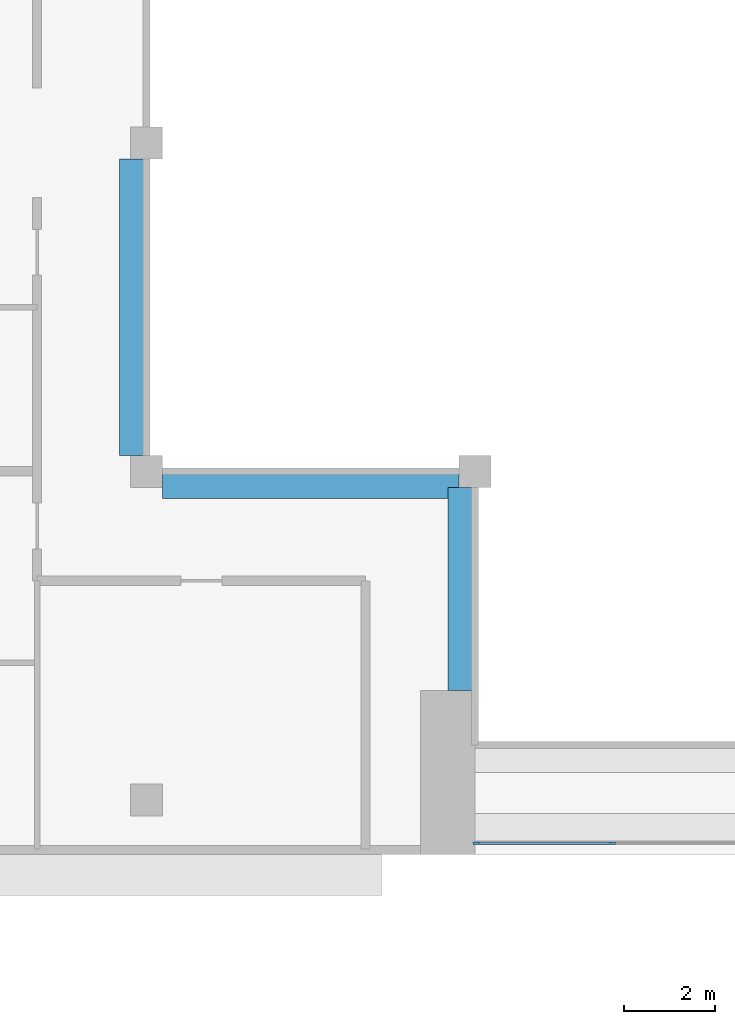
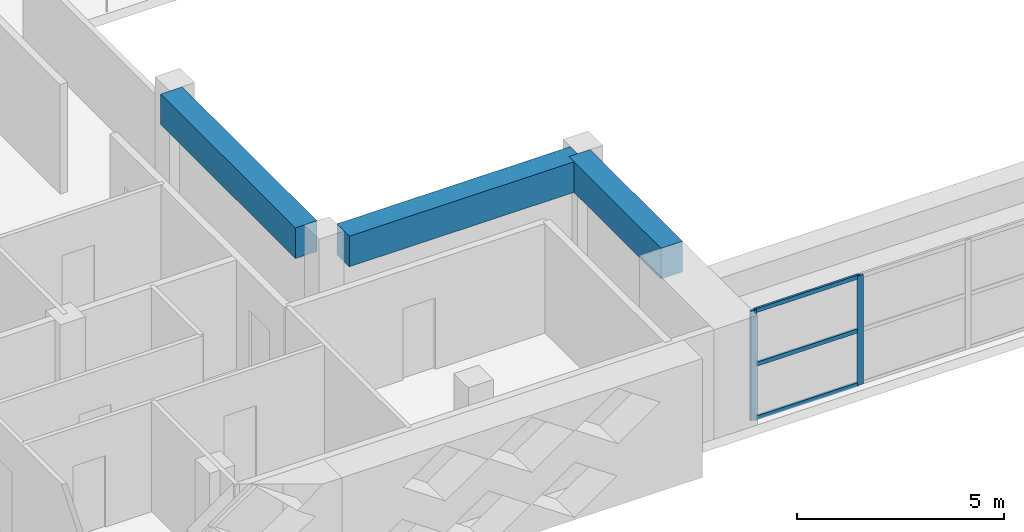
# One storey, part 2 of 19: 5 members, 3 beams, 1 element without a shape of its own.
"""IFC4 building model written with IfcOpenShell, lengths in metres."""

from ifc_helpers import new_model, si_unit, direction, frame, origin, origin_2d, place, context, subcontext, project, spatial, rectangle, extrude, source, transform, mapped, material, layer, layer_set, material_profile, profile_set, type_object, element, aggregate, save


model = new_model("IFC4")

# Units and contexts
model_context = context("Model", 3, precision=1e-05, world=origin(), true_north=direction((0.0, 1.0)))
body_context = subcontext(model_context, "Body", "Model", "MODEL_VIEW")
ifc_project = project(units=[si_unit("LENGTHUNIT", "METRE"), si_unit("AREAUNIT", "SQUARE_METRE"), si_unit("VOLUMEUNIT", "CUBIC_METRE"), si_unit("PLANEANGLEUNIT", "RADIAN"), si_unit("MASSUNIT", "GRAM", prefix="KILO")], contexts=[model_context])

# Site, building, storey
site_placement = place(None, origin())
site = spatial("IfcSite", under=ifc_project, at=site_placement, CompositionType="ELEMENT")
building_placement = place(site_placement, origin())
building = spatial("IfcBuilding", under=site, at=building_placement, Name="Saffron Iwan Residences", CompositionType="ELEMENT")
storey_placement = place(building_placement, frame((0.0, 0.0, 253.5)))
storey = spatial("IfcBuildingStorey", under=building, at=storey_placement, Name="L68", CompositionType="ELEMENT", Elevation=253.5)

# Beams
ifc_material_1 = material(Name="Concrete C40/50", Category="concrete")
ifc_material_profile_1 = material_profile(ifc_material_1, rectangle(XDim=0.60009765625, YDim=0.89990234375, at=origin_2d()), Name="RC 600x900")
ifc_profile_set_1 = profile_set([ifc_material_profile_1], Name="Concrete C40/50")
beam_type = type_object("IfcBeamType", Name="BEAM RC 600x900 C40/50 TOP 3220", PredefinedType="BEAM", material=ifc_profile_set_1)
shared_shape_1 = source(origin(), body_context, "Body", "SweptSolid", [
    extrude(rectangle(XDim=0.60009765625, YDim=0.89990234375, at=origin_2d()), origin(), (0.0, 0.0, 1.0), 4.449951171875),
])
beam_placement = place(storey_placement, frame((42.89990234375, 43.199951171875, 2.77001953125), z_axis=(0.0, 1.0, 0.0), x_axis=(-1.0, 0.0, 0.0)))
element("IfcBeam", 1, at=beam_placement, inside=storey, type_object=beam_type, Name="Atrium edge beam", PredefinedType="BEAM", context=body_context, shape_type="MappedRepresentation", body=[
    mapped(shared_shape_1, transform((0.0, 0.0, 0.0))),
])
shared_shape_2 = source(origin(), body_context, "Body", "SweptSolid", [
    extrude(rectangle(XDim=0.60009765625, YDim=0.89990234375, at=origin_2d()), origin(), (0.0, 0.0, 1.0), 6.5),
])
for number, where, z_axis, x_axis, name in (
    (2, (42.85009765625, 47.699951171875, 2.77001953125), (-1.0, 0.0, 0.0), (0.0, -1.0, 0.0), "Atrium edge beam"),
    (3, (35.699951171875, 48.35009765625, 2.77001953125), (0.0, 1.0, 0.0), (-1.0, 0.0, 0.0), "Atrium edge beam"),
):
    element("IfcBeam", number, at=place(storey_placement, frame(where, z_axis=z_axis, x_axis=x_axis)), inside=storey, type_object=beam_type, Name=name, PredefinedType="BEAM", context=body_context, shape_type="MappedRepresentation", body=[
        mapped(shared_shape_2, transform((0.0, 0.0, 0.0))),
    ])

# Curtain wall, members
ifc_material_2 = material(Name="Clear glass, laminated double glazed", Category="glass")
ifc_layer = layer(ifc_material_2, 0.199951171875)
ifc_layer_set = layer_set([ifc_layer], Name="Clear glass, laminated double glazed")
curtain_wall_type = type_object("IfcCurtainWallType", Name="CW-B IWAN PORTAL", PredefinedType="NOTDEFINED", material=ifc_layer_set)
curtain_wall_placement = place(storey_placement, origin())
curtain_wall = element("IfcCurtainWall", 4, at=curtain_wall_placement, inside=storey, type_object=curtain_wall_type, Name="Iwan portal glazing L68.1", PredefinedType="NOTDEFINED")
ifc_material_3 = material(Name="Aluminium 6063-T6", Category="aluminium")
ifc_material_profile_2 = material_profile(ifc_material_3, rectangle(XDim=0.06005859375, YDim=0.1201171875, at=origin_2d()), Name="CW-B TRANSOM 60 x 120")
ifc_profile_set_2 = profile_set([ifc_material_profile_2], Name="Aluminium 6063-T6")
member_type_1 = type_object("IfcMemberType", Name="CW-B TRANSOM 60 x 120", PredefinedType="USERDEFINED", material=ifc_profile_set_2)
shared_shape_3 = source(origin(), body_context, "Body", "SweptSolid", [
    extrude(rectangle(XDim=0.06005859375, YDim=0.1201171875, at=origin_2d()), origin(), (0.0, 0.0, 1.0), 2.909912109375),
])
member_1_placement = place(storey_placement, frame((43.260009765625, 39.85009765625, 0.030029296875), z_axis=(1.0, 0.0, 0.0), x_axis=(0.0, 1.0, 0.0)))
member_1 = element("IfcMember", 5, at=member_1_placement, type_object=member_type_1, Name="CW-B transom 1.1", ObjectType="TRANSOM", PredefinedType="USERDEFINED", context=body_context, shape_type="MappedRepresentation", body=[
    mapped(shared_shape_3, transform((0.0, 0.0, 0.0))),
])
member_2_placement = place(storey_placement, frame((43.260009765625, 39.85009765625, 1.610107421875), z_axis=(1.0, 0.0, 0.0), x_axis=(0.0, 1.0, 0.0)))
member_2 = element("IfcMember", 6, at=member_2_placement, type_object=member_type_1, Name="CW-B transom 1.2", ObjectType="TRANSOM", PredefinedType="USERDEFINED", context=body_context, shape_type="MappedRepresentation", body=[
    mapped(shared_shape_3, transform((0.0, 0.0, 0.0))),
])
member_3_placement = place(storey_placement, frame((43.260009765625, 39.85009765625, 3.18994140625), z_axis=(1.0, 0.0, 0.0), x_axis=(0.0, 1.0, 0.0)))
member_3 = element("IfcMember", 7, at=member_3_placement, type_object=member_type_1, Name="CW-B transom 1.3", ObjectType="TRANSOM", PredefinedType="USERDEFINED", context=body_context, shape_type="MappedRepresentation", body=[
    mapped(shared_shape_3, transform((0.0, 0.0, 0.0))),
])
ifc_material_profile_3 = material_profile(ifc_material_3, rectangle(XDim=0.06005859375, YDim=0.159912109375, at=origin_2d()), Name="CW-B MULLION 60 x 160")
ifc_profile_set_3 = profile_set([ifc_material_profile_3], Name="Aluminium 6063-T6")
member_type_2 = type_object("IfcMemberType", Name="CW-B MULLION 60 x 160", PredefinedType="MULLION", material=ifc_profile_set_3)
shared_shape_4 = source(origin(), body_context, "Body", "SweptSolid", [
    extrude(rectangle(XDim=0.06005859375, YDim=0.159912109375, at=origin_2d()), origin(), (0.0, 0.0, 1.0), 3.219970703125),
])
member_4_placement = place(storey_placement, frame((43.22998046875, 39.85009765625, 0.0), z_axis=(0.0, 0.0, 1.0), x_axis=(0.0, 1.0, 0.0)))
member_4 = element("IfcMember", 8, at=member_4_placement, type_object=member_type_2, Name="CW-B mullion 1", PredefinedType="MULLION", context=body_context, shape_type="MappedRepresentation", body=[
    mapped(shared_shape_4, transform((0.0, 0.0, 0.0))),
])
member_5_placement = place(storey_placement, frame((46.199951171875, 39.85009765625, 0.0), z_axis=(0.0, 0.0, 1.0), x_axis=(0.0, 1.0, 0.0)))
member_5 = element("IfcMember", 9, at=member_5_placement, type_object=member_type_2, Name="CW-B mullion 2", PredefinedType="MULLION", context=body_context, shape_type="MappedRepresentation", body=[
    mapped(shared_shape_4, transform((0.0, 0.0, 0.0))),
])
aggregate(curtain_wall, [member_4, member_5, member_1, member_2, member_3])

save(model, "model.ifc")
